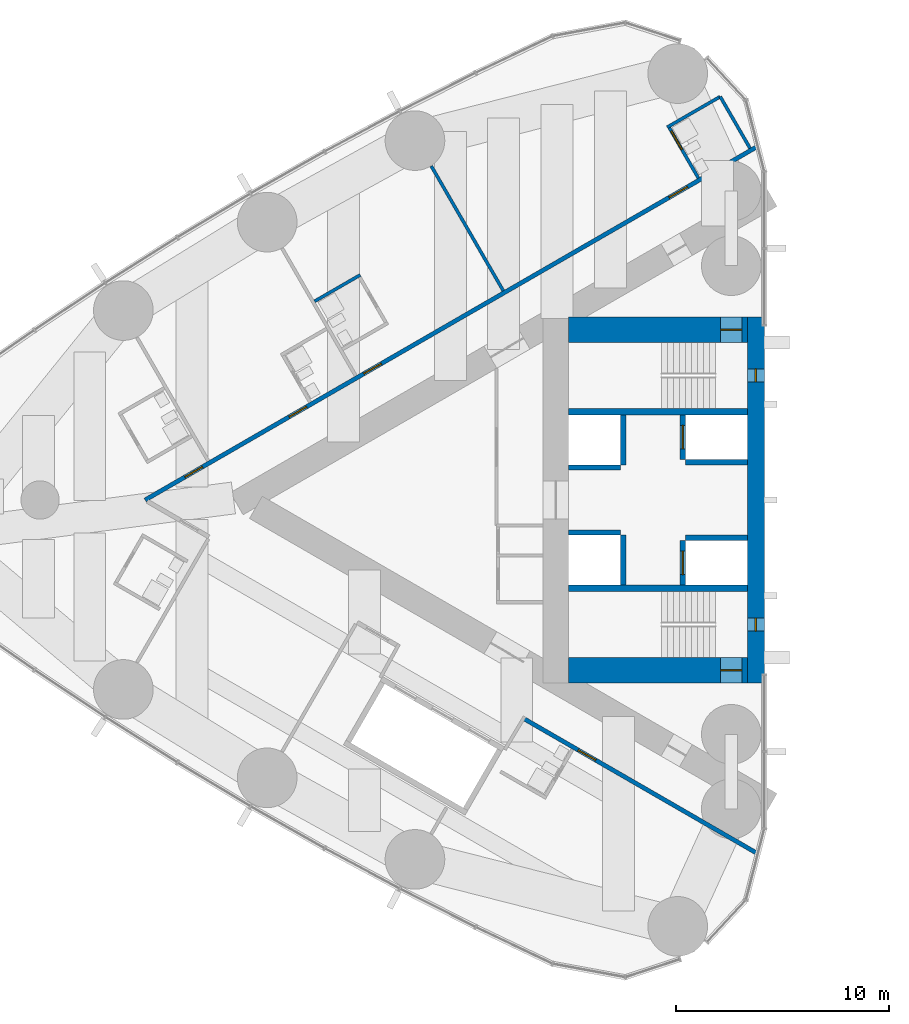
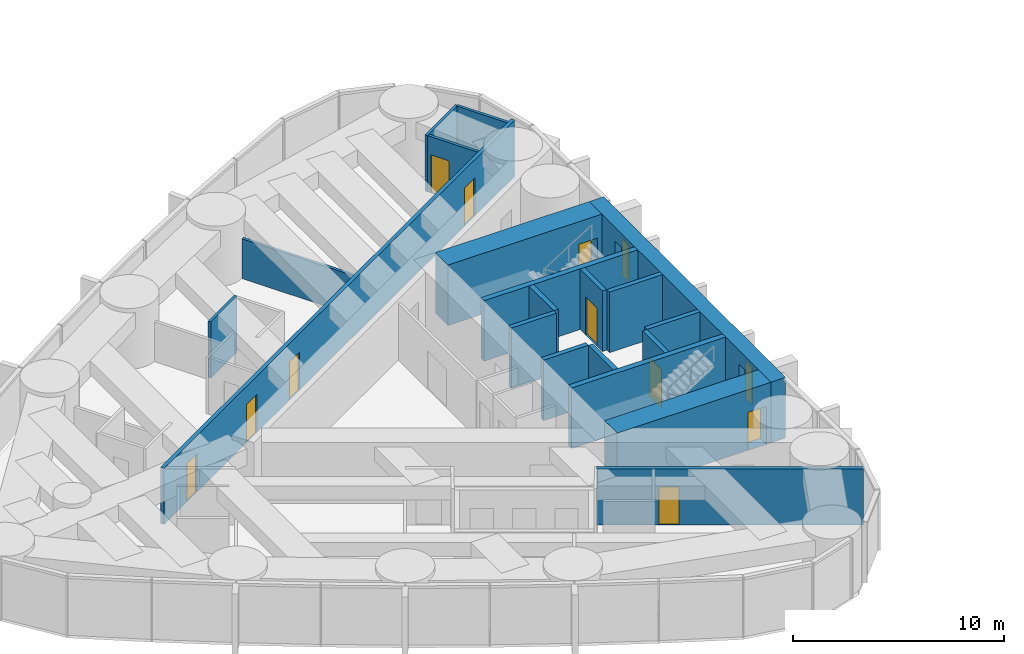
# One storey, part 13 of 19: 20 walls, 10 doors, 2 windows, 12 openings.
"""IFC4 building model written with IfcOpenShell, lengths in metres."""

from ifc_helpers import new_model, si_unit, direction, frame, frame_2d, origin, place, context, subcontext, project, spatial, rectangle, extrude, material, layer, layer_set, type_object, element, fill, save


model = new_model("IFC4")

# Units and contexts
model_context = context("Model", 3, precision=1e-05, world=origin(), true_north=direction((0.0, 1.0)))
body_context = subcontext(model_context, "Body", "Model", "MODEL_VIEW")
ifc_project = project(units=[si_unit("LENGTHUNIT", "METRE"), si_unit("AREAUNIT", "SQUARE_METRE"), si_unit("VOLUMEUNIT", "CUBIC_METRE"), si_unit("PLANEANGLEUNIT", "RADIAN"), si_unit("MASSUNIT", "GRAM", prefix="KILO")], contexts=[model_context])

# Site, building, storey
site_placement = place(None, origin())
site = spatial("IfcSite", under=ifc_project, at=site_placement, CompositionType="ELEMENT")
building_placement = place(site_placement, origin())
building = spatial("IfcBuilding", under=site, at=building_placement, Name="Lancet Gate Hotel", CompositionType="ELEMENT")
storey_placement = place(building_placement, frame((0.0, 0.0, 177.300048828125)))
storey = spatial("IfcBuildingStorey", under=building, at=storey_placement, Name="L47", CompositionType="ELEMENT", Elevation=177.300048828125)

# Wall
ifc_material_1 = material(Name="Moisture resistant board partition")
ifc_layer_1 = layer(ifc_material_1, 0.14990234375)
ifc_layer_set_1 = layer_set([ifc_layer_1], Name="Bathroom wall 150")
wall_type_1 = type_object("IfcWallType", Name="Bathroom wall 150", PredefinedType="PARTITIONING", material=ifc_layer_set_1)
wall_1_placement = place(storey_placement, frame((-29.56982421875, 18.936279296875, 0.0), z_axis=(0.0, 0.0, 1.0), x_axis=(-0.866018712932, -0.500011588718, 0.0)))
element("IfcWall", 1, at=wall_1_placement, inside=storey, type_object=wall_type_1, Name="T1 bathroom wall 150 L47", PredefinedType="PARTITIONING", context=body_context, shape_type="SweptSolid", body=[
    extrude(rectangle(XDim=2.875, YDim=0.14990234375, at=frame_2d((1.4375, 0.0))), origin(), (0.0, 0.0, 1.0), 3.25),
])

# Wall, opening, door
wall_2_placement = place(storey_placement, frame((-30.5947265625, 15.111328125, 0.0), z_axis=(0.0, 0.0, 1.0), x_axis=(-0.49998411664, 0.866034573852, 0.0)))
wall_2 = element("IfcWall", 2, at=wall_2_placement, inside=storey, type_object=wall_type_1, Name="T1 bathroom wall 150 L47", PredefinedType="PARTITIONING", context=body_context, shape_type="SweptSolid", body=[
    extrude(rectangle(XDim=2.7998046875, YDim=0.14990234375, at=frame_2d((1.39990234375, 0.0))), origin(), (0.0, 0.0, 1.0), 3.25),
])
opening_1_placement = place(wall_2_placement, frame((1.550048828125, 0.0, 0.0)))
opening_1 = element("IfcOpeningElement", 3, at=opening_1_placement, cuts=wall_2, Name="Opening 4701-B", PredefinedType="OPENING", context=body_context, shape_type="SweptSolid", body=[
    extrude(rectangle(XDim=1.0, YDim=2.199951171875, at=frame_2d((0.5, 1.10009765625))), frame((0.0, 0.0849609375, 0.0), z_axis=(0.0, -1.0, 0.0), x_axis=(1.0, 0.0, 0.0)), (0.0, 0.0, 1.0), 0.169921875),
])
ifc_material_2 = material(Name="Timber door set", Category="wood")
door_type_1 = type_object("IfcDoorType", Name="Accessible en-suite door 1000", OperationType="SINGLE_SWING_RIGHT", PredefinedType="DOOR", material=ifc_material_2)
door_1_placement = place(opening_1_placement, origin())
door_1 = element("IfcDoor", 4, at=door_1_placement, inside=storey, type_object=door_type_1, Name="4701-B", OperationType="SINGLE_SWING_RIGHT", OverallHeight=2.199951171875, OverallWidth=1.0, PredefinedType="DOOR", context=body_context, shape_type="SweptSolid", body=[
    extrude(rectangle(XDim=1.0, YDim=2.199951171875, at=frame_2d((0.5, 1.10009765625))), frame((0.0, 0.02490234375, 0.0), z_axis=(0.0, -1.0, 0.0), x_axis=(1.0, 0.0, 0.0)), (0.0, 0.0, 1.0), 0.050048828125),
])
fill(opening_1, door_1)

# Walls
wall_3_placement = place(storey_placement, frame((-28.169921875, 16.51123046875, 0.0), z_axis=(0.0, 0.0, 1.0), x_axis=(-0.49994636267, 0.866056369097, 0.0)))
element("IfcWall", 5, at=wall_3_placement, inside=storey, type_object=wall_type_1, Name="T1 bathroom wall 150 L47", PredefinedType="PARTITIONING", context=body_context, shape_type="SweptSolid", body=[
    extrude(rectangle(XDim=2.800048828125, YDim=0.14990234375, at=frame_2d((1.39990234375, 0.0))), origin(), (0.0, 0.0, 1.0), 3.25),
])
wall_4_placement = place(storey_placement, frame((-46.470458984375, 10.564208984375, 0.0), z_axis=(0.0, 0.0, 1.0), x_axis=(-0.866006523861, -0.500032699561, 0.0)))
element("IfcWall", 6, at=wall_4_placement, inside=storey, type_object=wall_type_1, Name="T1 bathroom wall 150 L47", PredefinedType="PARTITIONING", context=body_context, shape_type="SweptSolid", body=[
    extrude(rectangle(XDim=2.474853515625, YDim=0.14990234375, at=frame_2d((1.2373046875, 0.0))), origin(), (0.0, 0.0, 1.0), 3.25),
])

# Wall, opening, door
ifc_material_3 = material(Name="Concrete C70/85", Category="concrete")
ifc_layer_2 = layer(ifc_material_3, 1.199951171875)
ifc_layer_set_2 = layer_set([ifc_layer_2], Name="Core wall 1200")
wall_type_2 = type_object("IfcWallType", Name="Core wall 1200", PredefinedType="SHEAR", material=ifc_layer_set_2)
wall_5_placement = place(storey_placement, frame((-28.300048828125, 8.0, 0.0), z_axis=(0.0, 0.0, 1.0), x_axis=(-1.0, 0.0, 0.0)))
wall_5 = element("IfcWall", 7, at=wall_5_placement, inside=storey, type_object=wall_type_2, Name="T1 core wall side-S L47", PredefinedType="SHEAR", context=body_context, shape_type="SweptSolid", body=[
    extrude(rectangle(XDim=8.39990234375, YDim=1.199951171875, at=frame_2d((4.199951171875, 0.0))), origin(), (0.0, 0.0, 1.0), 3.5),
])
opening_2_placement = place(wall_5_placement, frame((0.25, 0.0, 0.0)))
opening_2 = element("IfcOpeningElement", 8, at=opening_2_placement, cuts=wall_5, Name="Opening T1-L47-ST1", PredefinedType="OPENING", context=body_context, shape_type="SweptSolid", body=[
    extrude(rectangle(XDim=1.0, YDim=2.199951171875, at=frame_2d((0.5, 1.10009765625))), frame((0.0, 0.60986328125, 0.0), z_axis=(0.0, -1.0, 0.0), x_axis=(1.0, 0.0, 0.0)), (0.0, 0.0, 1.0), 1.219970703125),
])
ifc_material_4 = material(Name="Timber door set", Category="wood")
door_type_2 = type_object("IfcDoorType", Name="Stair door 1000", OperationType="SINGLE_SWING_RIGHT", PredefinedType="DOOR", material=ifc_material_4)
door_2_placement = place(opening_2_placement, origin())
door_2 = element("IfcDoor", 9, at=door_2_placement, inside=storey, type_object=door_type_2, Name="T1-L47-ST1", OperationType="SINGLE_SWING_RIGHT", OverallHeight=2.199951171875, OverallWidth=1.0, PredefinedType="DOOR", context=body_context, shape_type="SweptSolid", body=[
    extrude(rectangle(XDim=1.0, YDim=2.199951171875, at=frame_2d((0.5, 1.10009765625))), frame((0.0, 0.02490234375, 0.0), z_axis=(0.0, -1.0, 0.0), x_axis=(1.0, 0.0, 0.0)), (0.0, 0.0, 1.0), 0.050048828125),
])
fill(opening_2, door_2)

wall_6_placement = place(storey_placement, frame((-28.300048828125, -8.0, 0.0), z_axis=(0.0, 0.0, 1.0), x_axis=(-1.0, 0.0, 0.0)))
wall_6 = element("IfcWall", 10, at=wall_6_placement, inside=storey, type_object=wall_type_2, Name="T1 core wall side-N L47", PredefinedType="SHEAR", context=body_context, shape_type="SweptSolid", body=[
    extrude(rectangle(XDim=8.39990234375, YDim=1.199951171875, at=frame_2d((4.199951171875, 0.0))), origin(), (0.0, 0.0, 1.0), 3.5),
])
opening_3_placement = place(wall_6_placement, frame((0.25, 0.0, 0.0)))
opening_3 = element("IfcOpeningElement", 11, at=opening_3_placement, cuts=wall_6, Name="Opening T1-L47-ST2", PredefinedType="OPENING", context=body_context, shape_type="SweptSolid", body=[
    extrude(rectangle(XDim=1.0, YDim=2.199951171875, at=frame_2d((0.5, 1.10009765625))), frame((0.0, 0.60986328125, 0.0), z_axis=(0.0, -1.0, 0.0), x_axis=(1.0, 0.0, 0.0)), (0.0, 0.0, 1.0), 1.219970703125),
])
door_3_placement = place(opening_3_placement, origin())
door_3 = element("IfcDoor", 12, at=door_3_placement, inside=storey, type_object=door_type_2, Name="T1-L47-ST2", OperationType="SINGLE_SWING_RIGHT", OverallHeight=2.199951171875, OverallWidth=1.0, PredefinedType="DOOR", context=body_context, shape_type="SweptSolid", body=[
    extrude(rectangle(XDim=1.0, YDim=2.199951171875, at=frame_2d((0.5, 1.10009765625))), frame((0.0, 0.02490234375, 0.0), z_axis=(0.0, -1.0, 0.0), x_axis=(1.0, 0.0, 0.0)), (0.0, 0.0, 1.0), 0.050048828125),
])
fill(opening_3, door_3)

# Wall, openings, windows
ifc_material_5 = material(Name="Concrete C70/85", Category="concrete")
ifc_layer_3 = layer(ifc_material_5, 0.800048828125)
ifc_layer_set_3 = layer_set([ifc_layer_3], Name="Core wall 800")
wall_type_3 = type_object("IfcWallType", Name="Core wall 800", PredefinedType="SHEAR", material=ifc_layer_set_3)
wall_7_placement = place(storey_placement, frame((-27.89990234375, 8.60009765625, 0.0), z_axis=(0.0, 0.0, 1.0), x_axis=(0.0, -1.0, 0.0)))
wall_7 = element("IfcWall", 13, at=wall_7_placement, inside=storey, type_object=wall_type_3, Name="T1 core wall front L47", PredefinedType="SHEAR", context=body_context, shape_type="SweptSolid", body=[
    extrude(rectangle(XDim=17.2001953125, YDim=0.800048828125, at=frame_2d((8.60009765625, 0.0))), origin(), (0.0, 0.0, 1.0), 3.5),
])
opening_4_placement = place(wall_7_placement, frame((2.449951171875, 0.0, 0.60009765625)))
opening_4 = element("IfcOpeningElement", 14, at=opening_4_placement, cuts=wall_7, Name="Opening LW1", PredefinedType="OPENING", context=body_context, shape_type="SweptSolid", body=[
    extrude(rectangle(XDim=0.60009765625, YDim=2.10009765625, at=frame_2d((0.300048828125, 1.050048828125))), frame((0.0, 0.409912109375, 0.0), z_axis=(0.0, -1.0, 0.0), x_axis=(1.0, 0.0, 0.0)), (0.0, 0.0, 1.0), 0.820068359375),
])
opening_5_placement = place(wall_7_placement, frame((14.14990234375, 0.0, 0.60009765625)))
opening_5 = element("IfcOpeningElement", 15, at=opening_5_placement, cuts=wall_7, Name="Opening LW1", PredefinedType="OPENING", context=body_context, shape_type="SweptSolid", body=[
    extrude(rectangle(XDim=0.60009765625, YDim=2.10009765625, at=frame_2d((0.300048828125, 1.050048828125))), frame((0.0, 0.409912109375, 0.0), z_axis=(0.0, -1.0, 0.0), x_axis=(1.0, 0.0, 0.0)), (0.0, 0.0, 1.0), 0.820068359375),
])
ifc_material_6 = material(Name="Fire-resisting glazed steel window", Category="steel")
window_type = type_object("IfcWindowType", Name="Lancet window 600x2100", PartitioningType="SINGLE_PANEL", PredefinedType="WINDOW", material=ifc_material_6)
window_1_placement = place(opening_4_placement, origin())
window_1 = element("IfcWindow", 16, at=window_1_placement, inside=storey, type_object=window_type, Name="T1 stair window S L47", OverallHeight=2.10009765625, OverallWidth=0.60009765625, PartitioningType="SINGLE_PANEL", PredefinedType="WINDOW", context=body_context, shape_type="SweptSolid", body=[
    extrude(rectangle(XDim=0.60009765625, YDim=2.10009765625, at=frame_2d((0.300048828125, 1.050048828125))), frame((0.0, 0.030029296875, 0.0), z_axis=(0.0, -1.0, 0.0), x_axis=(1.0, 0.0, 0.0)), (0.0, 0.0, 1.0), 0.06005859375),
])
fill(opening_4, window_1)
window_2_placement = place(opening_5_placement, origin())
window_2 = element("IfcWindow", 17, at=window_2_placement, inside=storey, type_object=window_type, Name="T1 stair window N L47", OverallHeight=2.10009765625, OverallWidth=0.60009765625, PartitioningType="SINGLE_PANEL", PredefinedType="WINDOW", context=body_context, shape_type="SweptSolid", body=[
    extrude(rectangle(XDim=0.60009765625, YDim=2.10009765625, at=frame_2d((0.300048828125, 1.050048828125))), frame((0.0, 0.030029296875, 0.0), z_axis=(0.0, -1.0, 0.0), x_axis=(1.0, 0.0, 0.0)), (0.0, 0.0, 1.0), 0.06005859375),
])
fill(opening_5, window_2)

# Wall, openings, doors
ifc_material_7 = material(Name="Gypsum board partition")
ifc_layer_4 = layer(ifc_material_7, 0.199951171875)
ifc_layer_set_4 = layer_set([ifc_layer_4], Name="Corridor wall 200")
wall_type_4 = type_object("IfcWallType", Name="Corridor wall 200", PredefinedType="PARTITIONING", material=ifc_layer_set_4)
wall_8_placement = place(storey_placement, frame((-27.860107421875, 16.57470703125, 0.0), z_axis=(0.0, 0.0, 1.0), x_axis=(-0.866025533911, -0.499999774615, 0.0)))
wall_8 = element("IfcWall", 18, at=wall_8_placement, inside=storey, type_object=wall_type_4, Name="T1 corridor wall 200 L47", PredefinedType="PARTITIONING", context=body_context, shape_type="SweptSolid", body=[
    extrude(rectangle(XDim=33.1494140625, YDim=0.199951171875, at=frame_2d((16.57470703125, 0.0))), origin(), (0.0, 0.0, 1.0), 3.25),
])
opening_6_placement = place(wall_8_placement, frame((3.75, 0.0, 0.0)))
opening_6 = element("IfcOpeningElement", 19, at=opening_6_placement, cuts=wall_8, Name="Opening 4701-E", PredefinedType="OPENING", context=body_context, shape_type="SweptSolid", body=[
    extrude(rectangle(XDim=1.0, YDim=2.199951171875, at=frame_2d((0.5, 1.10009765625))), frame((0.0, 0.10986328125, 0.0), z_axis=(0.0, -1.0, 0.0), x_axis=(1.0, 0.0, 0.0)), (0.0, 0.0, 1.0), 0.219970703125),
])
opening_7_placement = place(wall_8_placement, frame((20.347412109375, 0.0, 0.0)))
opening_7 = element("IfcOpeningElement", 20, at=opening_7_placement, cuts=wall_8, Name="Opening 4702-E", PredefinedType="OPENING", context=body_context, shape_type="SweptSolid", body=[
    extrude(rectangle(XDim=0.949951171875, YDim=2.199951171875, at=frame_2d((0.47509765625, 1.10009765625))), frame((0.0, 0.10986328125, 0.0), z_axis=(0.0, -1.0, 0.0), x_axis=(1.0, 0.0, 0.0)), (0.0, 0.0, 1.0), 0.219970703125),
])
opening_8_placement = place(wall_8_placement, frame((24.397216796875, 0.0, 0.0)))
opening_8 = element("IfcOpeningElement", 21, at=opening_8_placement, cuts=wall_8, Name="Opening 4703-E", PredefinedType="OPENING", context=body_context, shape_type="SweptSolid", body=[
    extrude(rectangle(XDim=0.949951171875, YDim=2.199951171875, at=frame_2d((0.47509765625, 1.10009765625))), frame((0.0, 0.10986328125, 0.0), z_axis=(0.0, -1.0, 0.0), x_axis=(1.0, 0.0, 0.0)), (0.0, 0.0, 1.0), 0.219970703125),
])
opening_9_placement = place(wall_8_placement, frame((30.04150390625, 0.0, 0.0)))
opening_9 = element("IfcOpeningElement", 22, at=opening_9_placement, cuts=wall_8, Name="Opening 4704-E", PredefinedType="OPENING", context=body_context, shape_type="SweptSolid", body=[
    extrude(rectangle(XDim=0.949951171875, YDim=2.199951171875, at=frame_2d((0.47509765625, 1.10009765625))), frame((0.0, 0.10986328125, 0.0), z_axis=(0.0, -1.0, 0.0), x_axis=(1.0, 0.0, 0.0)), (0.0, 0.0, 1.0), 0.219970703125),
])
ifc_material_8 = material(Name="Timber door set", Category="wood")
door_type_3 = type_object("IfcDoorType", Name="Accessible guest room door 1000", OperationType="SINGLE_SWING_LEFT", PredefinedType="DOOR", material=ifc_material_8)
door_4_placement = place(opening_6_placement, origin())
door_4 = element("IfcDoor", 23, at=door_4_placement, inside=storey, type_object=door_type_3, Name="4701-E", OperationType="SINGLE_SWING_LEFT", OverallHeight=2.199951171875, OverallWidth=1.0, PredefinedType="DOOR", context=body_context, shape_type="SweptSolid", body=[
    extrude(rectangle(XDim=1.0, YDim=2.199951171875, at=frame_2d((0.5, 1.10009765625))), frame((0.0, 0.02490234375, 0.0), z_axis=(0.0, -1.0, 0.0), x_axis=(1.0, 0.0, 0.0)), (0.0, 0.0, 1.0), 0.050048828125),
])
fill(opening_6, door_4)
ifc_material_9 = material(Name="Timber door set", Category="wood")
door_type_4 = type_object("IfcDoorType", Name="Guest room entry door 950", OperationType="SINGLE_SWING_LEFT", PredefinedType="DOOR", material=ifc_material_9)
door_5_placement = place(opening_7_placement, origin())
door_5 = element("IfcDoor", 24, at=door_5_placement, inside=storey, type_object=door_type_4, Name="4702-E", OperationType="SINGLE_SWING_LEFT", OverallHeight=2.199951171875, OverallWidth=0.949951171875, PredefinedType="DOOR", context=body_context, shape_type="SweptSolid", body=[
    extrude(rectangle(XDim=0.949951171875, YDim=2.199951171875, at=frame_2d((0.47509765625, 1.10009765625))), frame((0.0, 0.02490234375, 0.0), z_axis=(0.0, -1.0, 0.0), x_axis=(1.0, 0.0, 0.0)), (0.0, 0.0, 1.0), 0.050048828125),
])
fill(opening_7, door_5)
door_6_placement = place(opening_8_placement, origin())
door_6 = element("IfcDoor", 25, at=door_6_placement, inside=storey, type_object=door_type_4, Name="4703-E", OperationType="SINGLE_SWING_LEFT", OverallHeight=2.199951171875, OverallWidth=0.949951171875, PredefinedType="DOOR", context=body_context, shape_type="SweptSolid", body=[
    extrude(rectangle(XDim=0.949951171875, YDim=2.199951171875, at=frame_2d((0.47509765625, 1.10009765625))), frame((0.0, 0.02490234375, 0.0), z_axis=(0.0, -1.0, 0.0), x_axis=(1.0, 0.0, 0.0)), (0.0, 0.0, 1.0), 0.050048828125),
])
fill(opening_8, door_6)
door_7_placement = place(opening_9_placement, origin())
door_7 = element("IfcDoor", 26, at=door_7_placement, inside=storey, type_object=door_type_4, Name="4704-E", OperationType="SINGLE_SWING_LEFT", OverallHeight=2.199951171875, OverallWidth=0.949951171875, PredefinedType="DOOR", context=body_context, shape_type="SweptSolid", body=[
    extrude(rectangle(XDim=0.949951171875, YDim=2.199951171875, at=frame_2d((0.47509765625, 1.10009765625))), frame((0.0, 0.02490234375, 0.0), z_axis=(0.0, -1.0, 0.0), x_axis=(1.0, 0.0, 0.0)), (0.0, 0.0, 1.0), 0.050048828125),
])
fill(opening_9, door_7)

# Wall, opening, door
wall_9_placement = place(storey_placement, frame((-27.860107421875, -16.57470703125, 0.0), z_axis=(0.0, 0.0, 1.0), x_axis=(-0.866027756871, 0.499995924312, 0.0)))
wall_9 = element("IfcWall", 27, at=wall_9_placement, inside=storey, type_object=wall_type_4, Name="T1 corridor wall 200 L47", PredefinedType="PARTITIONING", context=body_context, shape_type="SweptSolid", body=[
    extrude(rectangle(XDim=12.6220703125, YDim=0.199951171875, at=frame_2d((6.31103515625, 0.0))), origin(), (0.0, 0.0, 1.0), 3.25),
])
opening_10_placement = place(wall_9_placement, frame((8.72216796875, 0.0, 0.0)))
opening_10 = element("IfcOpeningElement", 28, at=opening_10_placement, cuts=wall_9, Name="Opening 4708-E", PredefinedType="OPENING", context=body_context, shape_type="SweptSolid", body=[
    extrude(rectangle(XDim=0.949951171875, YDim=2.199951171875, at=frame_2d((0.47509765625, 1.10009765625))), frame((0.0, 0.10986328125, 0.0), z_axis=(0.0, -1.0, 0.0), x_axis=(1.0, 0.0, 0.0)), (0.0, 0.0, 1.0), 0.219970703125),
])
door_8_placement = place(opening_10_placement, origin())
door_8 = element("IfcDoor", 29, at=door_8_placement, inside=storey, type_object=door_type_4, Name="4708-E", OperationType="SINGLE_SWING_LEFT", OverallHeight=2.199951171875, OverallWidth=0.949951171875, PredefinedType="DOOR", context=body_context, shape_type="SweptSolid", body=[
    extrude(rectangle(XDim=0.949951171875, YDim=2.199951171875, at=frame_2d((0.47509765625, 1.10009765625))), frame((0.0, 0.02490234375, 0.0), z_axis=(0.0, -1.0, 0.0), x_axis=(1.0, 0.0, 0.0)), (0.0, 0.0, 1.0), 0.050048828125),
])
fill(opening_10, door_8)

ifc_material_10 = material(Name="Concrete C50/60", Category="concrete")
ifc_layer_5 = layer(ifc_material_10, 0.25)
ifc_layer_set_5 = layer_set([ifc_layer_5], Name="Lift shaft wall 250")
wall_type_5 = type_object("IfcWallType", Name="Lift shaft wall 250", PredefinedType="SHEAR", material=ifc_layer_set_5)
wall_10_placement = place(storey_placement, frame((-31.324951171875, 4.0, 0.0), z_axis=(0.0, 0.0, 1.0), x_axis=(0.0, -1.0, 0.0)))
wall_10 = element("IfcWall", 30, at=wall_10_placement, inside=storey, type_object=wall_type_5, Name="T1 core wall row1-S L47", PredefinedType="SHEAR", context=body_context, shape_type="SweptSolid", body=[
    extrude(rectangle(XDim=2.10009765625, YDim=0.25, at=frame_2d((1.050048828125, 0.0))), origin(), (0.0, 0.0, 1.0), 3.5),
])
opening_11_placement = place(wall_10_placement, frame((0.5, 0.0, 0.0)))
opening_11 = element("IfcOpeningElement", 31, at=opening_11_placement, cuts=wall_10, Name="Opening T1-SL1-L47", PredefinedType="OPENING", context=body_context, shape_type="SweptSolid", body=[
    extrude(rectangle(XDim=1.10009765625, YDim=2.199951171875, at=frame_2d((0.550048828125, 1.10009765625))), frame((0.0, 0.135009765625, 0.0), z_axis=(0.0, -1.0, 0.0), x_axis=(1.0, 0.0, 0.0)), (0.0, 0.0, 1.0), 0.27001953125),
])
ifc_material_11 = material(Name="Timber door set", Category="wood")
door_type_5 = type_object("IfcDoorType", Name="Service lift landing door 1100", OperationType="SLIDING_TO_LEFT", PredefinedType="USERDEFINED", material=ifc_material_11)
door_9_placement = place(opening_11_placement, origin())
door_9 = element("IfcDoor", 32, at=door_9_placement, inside=storey, type_object=door_type_5, Name="T1-SL1-L47", ObjectType="LIFT LANDING DOOR", OperationType="SLIDING_TO_LEFT", OverallHeight=2.199951171875, OverallWidth=1.10009765625, PredefinedType="USERDEFINED", context=body_context, shape_type="SweptSolid", body=[
    extrude(rectangle(XDim=1.10009765625, YDim=2.199951171875, at=frame_2d((0.550048828125, 1.10009765625))), frame((0.0, 0.02490234375, 0.0), z_axis=(0.0, -1.0, 0.0), x_axis=(1.0, 0.0, 0.0)), (0.0, 0.0, 1.0), 0.050048828125),
])
fill(opening_11, door_9)

# Walls
wall_11_placement = place(storey_placement, frame((-34.125, 4.0, 0.0), z_axis=(0.0, 0.0, 1.0), x_axis=(0.0, -1.0, 0.0)))
element("IfcWall", 33, at=wall_11_placement, inside=storey, type_object=wall_type_5, Name="T1 core wall row2-S L47", PredefinedType="SHEAR", context=body_context, shape_type="SweptSolid", body=[
    extrude(rectangle(XDim=2.35009765625, YDim=0.25, at=frame_2d((1.175048828125, 0.0))), origin(), (0.0, 0.0, 1.0), 3.5),
])
wall_12_placement = place(storey_placement, frame((-28.300048828125, 1.77490234375, 0.0), z_axis=(0.0, 0.0, 1.0), x_axis=(-1.0, 0.0, 0.0)))
element("IfcWall", 34, at=wall_12_placement, inside=storey, type_object=wall_type_5, Name="T1 core wall pass1-S L47", PredefinedType="SHEAR", context=body_context, shape_type="SweptSolid", body=[
    extrude(rectangle(XDim=2.89990234375, YDim=0.25, at=frame_2d((1.449951171875, 0.0))), origin(), (0.0, 0.0, 1.0), 3.5),
])
wall_13_placement = place(storey_placement, frame((-34.25, 1.52490234375, 0.0), z_axis=(0.0, 0.0, 1.0), x_axis=(-1.0, 0.0, 0.0)))
element("IfcWall", 35, at=wall_13_placement, inside=storey, type_object=wall_type_5, Name="T1 core wall pass2-S L47", PredefinedType="SHEAR", context=body_context, shape_type="SweptSolid", body=[
    extrude(rectangle(XDim=2.449951171875, YDim=0.25, at=frame_2d((1.22509765625, 0.0))), origin(), (0.0, 0.0, 1.0), 3.5),
])

# Wall, opening, door
wall_14_placement = place(storey_placement, frame((-31.324951171875, -1.89990234375, 0.0), z_axis=(0.0, 0.0, 1.0), x_axis=(0.0, -1.0, 0.0)))
wall_14 = element("IfcWall", 36, at=wall_14_placement, inside=storey, type_object=wall_type_5, Name="T1 core wall row1-N L47", PredefinedType="SHEAR", context=body_context, shape_type="SweptSolid", body=[
    extrude(rectangle(XDim=2.10009765625, YDim=0.25, at=frame_2d((1.050048828125, 0.0))), origin(), (0.0, 0.0, 1.0), 3.5),
])
opening_12_placement = place(wall_14_placement, frame((0.5, 0.0, 0.0)))
opening_12 = element("IfcOpeningElement", 37, at=opening_12_placement, cuts=wall_14, Name="Opening T1-FL2-L47", PredefinedType="OPENING", context=body_context, shape_type="SweptSolid", body=[
    extrude(rectangle(XDim=1.10009765625, YDim=2.199951171875, at=frame_2d((0.550048828125, 1.10009765625))), frame((0.0, 0.135009765625, 0.0), z_axis=(0.0, -1.0, 0.0), x_axis=(1.0, 0.0, 0.0)), (0.0, 0.0, 1.0), 0.27001953125),
])
ifc_material_12 = material(Name="Steel door set", Category="steel")
door_type_6 = type_object("IfcDoorType", Name="Firefighting lift landing door 1100", OperationType="SLIDING_TO_LEFT", PredefinedType="USERDEFINED", material=ifc_material_12)
door_10_placement = place(opening_12_placement, origin())
door_10 = element("IfcDoor", 38, at=door_10_placement, inside=storey, type_object=door_type_6, Name="T1-FL2-L47", ObjectType="LIFT LANDING DOOR", OperationType="SLIDING_TO_LEFT", OverallHeight=2.199951171875, OverallWidth=1.10009765625, PredefinedType="USERDEFINED", context=body_context, shape_type="SweptSolid", body=[
    extrude(rectangle(XDim=1.10009765625, YDim=2.199951171875, at=frame_2d((0.550048828125, 1.10009765625))), frame((0.0, 0.02490234375, 0.0), z_axis=(0.0, -1.0, 0.0), x_axis=(1.0, 0.0, 0.0)), (0.0, 0.0, 1.0), 0.050048828125),
])
fill(opening_12, door_10)

# Walls
wall_15_placement = place(storey_placement, frame((-34.125, -1.64990234375, 0.0), z_axis=(0.0, 0.0, 1.0), x_axis=(0.0, -1.0, 0.0)))
element("IfcWall", 39, at=wall_15_placement, inside=storey, type_object=wall_type_5, Name="T1 core wall row2-N L47", PredefinedType="SHEAR", context=body_context, shape_type="SweptSolid", body=[
    extrude(rectangle(XDim=2.35009765625, YDim=0.25, at=frame_2d((1.175048828125, 0.0))), origin(), (0.0, 0.0, 1.0), 3.5),
])
wall_16_placement = place(storey_placement, frame((-28.300048828125, -1.77490234375, 0.0), z_axis=(0.0, 0.0, 1.0), x_axis=(-1.0, 0.0, 0.0)))
element("IfcWall", 40, at=wall_16_placement, inside=storey, type_object=wall_type_5, Name="T1 core wall pass1-N L47", PredefinedType="SHEAR", context=body_context, shape_type="SweptSolid", body=[
    extrude(rectangle(XDim=2.89990234375, YDim=0.25, at=frame_2d((1.449951171875, 0.0))), origin(), (0.0, 0.0, 1.0), 3.5),
])
wall_17_placement = place(storey_placement, frame((-34.25, -1.52490234375, 0.0), z_axis=(0.0, 0.0, 1.0), x_axis=(-1.0, 0.0, 0.0)))
element("IfcWall", 41, at=wall_17_placement, inside=storey, type_object=wall_type_5, Name="T1 core wall pass2-N L47", PredefinedType="SHEAR", context=body_context, shape_type="SweptSolid", body=[
    extrude(rectangle(XDim=2.449951171875, YDim=0.25, at=frame_2d((1.22509765625, 0.0))), origin(), (0.0, 0.0, 1.0), 3.5),
])
ifc_material_13 = material(Name="Gypsum board partition")
ifc_layer_6 = layer(ifc_material_13, 0.14990234375)
ifc_layer_set_6 = layer_set([ifc_layer_6], Name="Party wall 150")
wall_type_6 = type_object("IfcWallType", Name="Party wall 150", PredefinedType="PARTITIONING", material=ifc_layer_set_6)
wall_18_placement = place(storey_placement, frame((-39.75439453125, 9.822998046875, 0.0), z_axis=(0.0, 0.0, 1.0), x_axis=(-0.499997670926, 0.866026748472, 0.0)))
element("IfcWall", 42, at=wall_18_placement, inside=storey, type_object=wall_type_6, Name="T1 party wall 150 L47", PredefinedType="PARTITIONING", context=body_context, shape_type="SweptSolid", body=[
    extrude(rectangle(XDim=6.75732421875, YDim=0.14990234375, at=frame_2d((3.378662109375, 0.0))), origin(), (0.0, 0.0, 1.0), 2.300048828125),
])
ifc_material_14 = material(Name="Concrete C50/60", Category="concrete")
ifc_layer_7 = layer(ifc_material_14, 0.300048828125)
ifc_layer_set_7 = layer_set([ifc_layer_7], Name="Stair enclosure wall 300")
wall_type_7 = type_object("IfcWallType", Name="Stair enclosure wall 300", PredefinedType="SHEAR", material=ifc_layer_set_7)
for number, where, z_axis, x_axis, name in (
    (43, (-28.300048828125, 4.14990234375, 0.0), (0.0, 0.0, 1.0), (-1.0, 0.0, 0.0), "T1 core wall stair-S L47"),
    (44, (-28.300048828125, -4.14990234375, 0.0), (0.0, 0.0, 1.0), (-1.0, 0.0, 0.0), "T1 core wall stair-N L47"),
):
    element("IfcWall", number, at=place(storey_placement, frame(where, z_axis=z_axis, x_axis=x_axis)), inside=storey, type_object=wall_type_7, Name=name, PredefinedType="SHEAR", context=body_context, shape_type="SweptSolid", body=[
        extrude(rectangle(XDim=8.39990234375, YDim=0.300048828125, at=frame_2d((4.199951171875, 0.0))), origin(), (0.0, 0.0, 1.0), 3.5),
    ])

save(model, "model.ifc")
